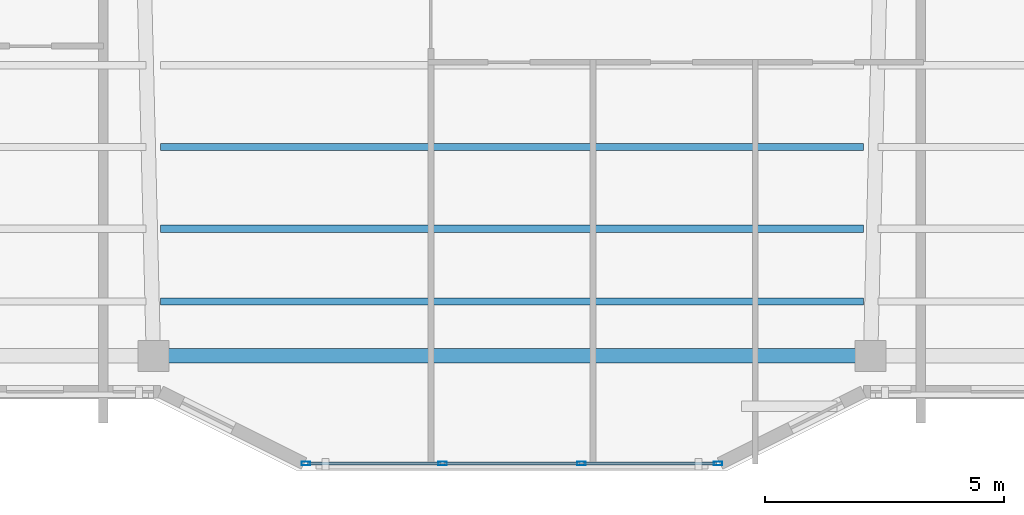
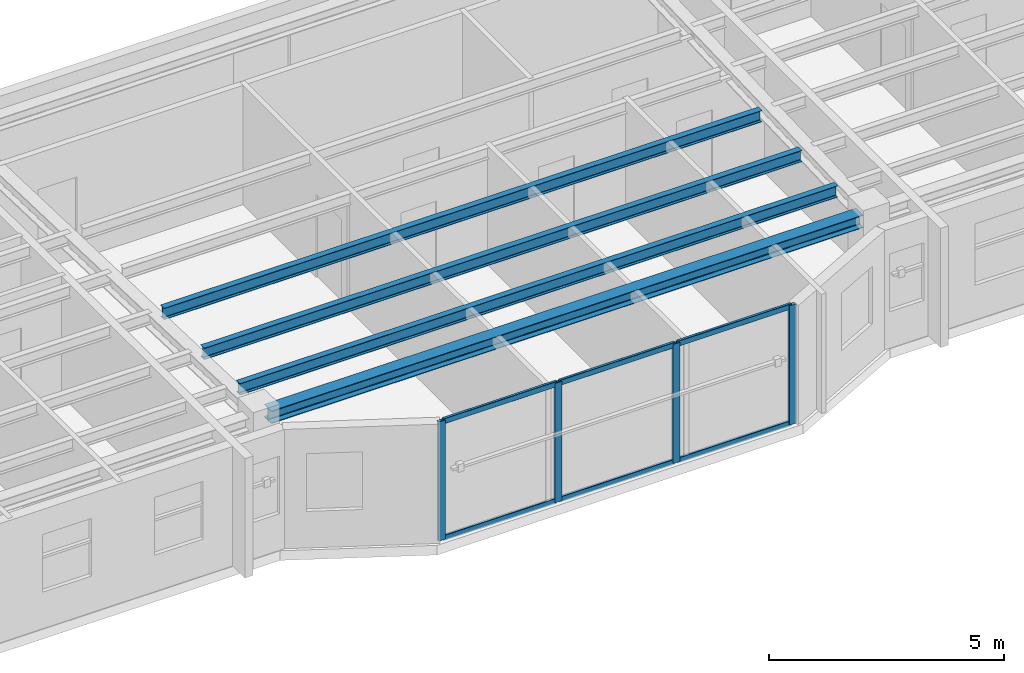
# One storey, part 2 of 15: 10 members, 4 beams, 1 element without a shape of its own.
"""IFC4 building model written with IfcOpenShell, lengths in metres."""

from ifc_helpers import new_model, si_unit, direction, frame, origin, origin_2d, place, context, subcontext, project, spatial, hollow_rectangle, i_section, extrude, material, layer, layer_set, material_profile, profile_set, type_object, element, aggregate, save


model = new_model("IFC4")

# Units and contexts
model_context = context("Model", 3, precision=1e-05, world=origin(), true_north=direction((0.0, 1.0)))
body_context = subcontext(model_context, "Body", "Model", "MODEL_VIEW")
ifc_project = project(units=[si_unit("LENGTHUNIT", "METRE"), si_unit("AREAUNIT", "SQUARE_METRE"), si_unit("VOLUMEUNIT", "CUBIC_METRE"), si_unit("PLANEANGLEUNIT", "RADIAN"), si_unit("MASSUNIT", "GRAM", prefix="KILO")], contexts=[model_context])

# Site, building, storey
site_placement = place(None, origin())
site = spatial("IfcSite", under=ifc_project, at=site_placement, CompositionType="ELEMENT")
building_placement = place(site_placement, origin())
building = spatial("IfcBuilding", under=site, at=building_placement, Name="Tarnavaz Court Tower", CompositionType="ELEMENT")
storey_placement = place(building_placement, frame((0.0, 0.0, 241.5)))
storey = spatial("IfcBuildingStorey", under=building, at=storey_placement, Name="L65", CompositionType="ELEMENT", Elevation=241.5)

# Beams
ifc_material_1 = material(Name="Steel S355", Category="steel")
ifc_material_profile_1 = material_profile(ifc_material_1, i_section(OverallWidth=0.14990234375, OverallDepth=0.300048828125, WebThickness=0.007080078125, FlangeThickness=0.0107421875, FilletRadius=0.014892578125, at=origin_2d()), Name="IPE 300")
ifc_profile_set_1 = profile_set([ifc_material_profile_1], Name="Steel S355")
beam_type_1 = type_object("IfcBeamType", Name="BM-J-IPE300", PredefinedType="JOIST", material=ifc_profile_set_1)
for number, where, z_axis, x_axis, name in (
    (1, (-7.35009765625, -15.72998046875, 2.949951171875), (1.0, 0.0, 0.0), (0.0, 1.0, 0.0), "L65 Beam JS3-2"),
    (2, (-7.35009765625, -17.43994140625, 2.949951171875), (1.0, 0.0, 0.0), (0.0, 1.0, 0.0), "L65 Beam JS4-2"),
    (3, (-7.35009765625, -18.9599609375, 2.949951171875), (1.0, 0.0, 0.0), (0.0, 1.0, 0.0), "L65 Beam JS5-2"),
):
    element("IfcBeam", number, at=place(storey_placement, frame(where, z_axis=z_axis, x_axis=x_axis)), inside=storey, type_object=beam_type_1, Name=name, PredefinedType="JOIST", context=body_context, shape_type="SweptSolid", body=[
        extrude(i_section(OverallWidth=0.14990234375, OverallDepth=0.300048828125, WebThickness=0.007080078125, FlangeThickness=0.0107421875, FilletRadius=0.014892578125, at=origin_2d()), origin(), (0.0, 0.0, 1.0), 14.7001953125),
    ])
ifc_material_profile_2 = material_profile(ifc_material_1, i_section(OverallWidth=0.300048828125, OverallDepth=0.330078125, WebThickness=0.009521484375, FlangeThickness=0.0166015625, FilletRadius=0.027099609375, at=origin_2d()), Name="HEA 340")
ifc_profile_set_2 = profile_set([ifc_material_profile_2], Name="Steel S355")
beam_type_2 = type_object("IfcBeamType", Name="BM-SP-HEA340", PredefinedType="BEAM", material=ifc_profile_set_2)
beam_placement = place(storey_placement, frame((-7.280029296875, -20.10009765625, 2.93505859375), z_axis=(1.0, 0.0, 0.0), x_axis=(0.0, 1.0, 0.0)))
element("IfcBeam", 4, at=beam_placement, inside=storey, type_object=beam_type_2, Name="L65 Beam PR-PS-2-PS-3", PredefinedType="BEAM", context=body_context, shape_type="SweptSolid", body=[
    extrude(i_section(OverallWidth=0.300048828125, OverallDepth=0.330078125, WebThickness=0.009521484375, FlangeThickness=0.0166015625, FilletRadius=0.027099609375, at=origin_2d()), origin(), (0.0, 0.0, 1.0), 14.56005859375),
])

# Curtain wall, members
ifc_material_2 = material(Name="Anodised Aluminium 6063-T6 and Solar Low-E Glazing", Category="aluminium")
ifc_layer = layer(ifc_material_2, 0.159912109375)
ifc_layer_set = layer_set([ifc_layer], Name="Anodised Aluminium 6063-T6 and Solar Low-E Glazing")
curtain_wall_type = type_object("IfcCurtainWallType", Name="CW-SYS-03", PredefinedType="NOTDEFINED", material=ifc_layer_set)
curtain_wall_placement = place(storey_placement, origin())
curtain_wall = element("IfcCurtainWall", 5, at=curtain_wall_placement, inside=storey, type_object=curtain_wall_type, Name="L65 Iwan Prow Curtain Wall 17", PredefinedType="NOTDEFINED")
ifc_material_3 = material(Name="Anodised Aluminium 6063-T6", Category="aluminium")
ifc_material_profile_3 = material_profile(ifc_material_3, hollow_rectangle(XDim=0.074951171875, YDim=0.179931640625, WallThickness=0.0048828125, InnerFilletRadius=0.0048828125, OuterFilletRadius=0.010009765625, at=origin_2d()), Name="ALU RHS 180X75X5")
ifc_profile_set_3 = profile_set([ifc_material_profile_3], Name="Anodised Aluminium 6063-T6")
member_type_1 = type_object("IfcMemberType", Name="CW-MUL-180", PredefinedType="MULLION", material=ifc_profile_set_3)
member_1_placement = place(storey_placement, frame((4.3125, -22.35009765625, 0.0), z_axis=(0.0, 0.0, 1.0), x_axis=(0.0, -1.0, 0.0)))
member_1 = element("IfcMember", 6, at=member_1_placement, type_object=member_type_1, Name="CW mullion 1", PredefinedType="MULLION", context=body_context, shape_type="SweptSolid", body=[
    extrude(hollow_rectangle(XDim=0.074951171875, YDim=0.179931640625, WallThickness=0.0048828125, InnerFilletRadius=0.0048828125, OuterFilletRadius=0.010009765625, at=origin_2d()), origin(), (0.0, 0.0, 1.0), 3.10009765625),
])
member_2_placement = place(storey_placement, frame((1.449951171875, -22.35009765625, 0.0), z_axis=(0.0, 0.0, 1.0), x_axis=(0.0, -1.0, 0.0)))
member_2 = element("IfcMember", 7, at=member_2_placement, type_object=member_type_1, Name="CW mullion 2", PredefinedType="MULLION", context=body_context, shape_type="SweptSolid", body=[
    extrude(hollow_rectangle(XDim=0.074951171875, YDim=0.179931640625, WallThickness=0.0048828125, InnerFilletRadius=0.0048828125, OuterFilletRadius=0.010009765625, at=origin_2d()), origin(), (0.0, 0.0, 1.0), 3.10009765625),
])
member_3_placement = place(storey_placement, frame((-1.449951171875, -22.35009765625, 0.0), z_axis=(0.0, 0.0, 1.0), x_axis=(0.0, -1.0, 0.0)))
member_3 = element("IfcMember", 8, at=member_3_placement, type_object=member_type_1, Name="CW mullion 3", PredefinedType="MULLION", context=body_context, shape_type="SweptSolid", body=[
    extrude(hollow_rectangle(XDim=0.074951171875, YDim=0.179931640625, WallThickness=0.0048828125, InnerFilletRadius=0.0048828125, OuterFilletRadius=0.010009765625, at=origin_2d()), origin(), (0.0, 0.0, 1.0), 3.10009765625),
])
member_4_placement = place(storey_placement, frame((-4.3125, -22.35009765625, 0.0), z_axis=(0.0, 0.0, 1.0), x_axis=(0.0, -1.0, 0.0)))
member_4 = element("IfcMember", 9, at=member_4_placement, type_object=member_type_1, Name="CW mullion 4", PredefinedType="MULLION", context=body_context, shape_type="SweptSolid", body=[
    extrude(hollow_rectangle(XDim=0.074951171875, YDim=0.179931640625, WallThickness=0.0048828125, InnerFilletRadius=0.0048828125, OuterFilletRadius=0.010009765625, at=origin_2d()), origin(), (0.0, 0.0, 1.0), 3.10009765625),
])
ifc_material_profile_4 = material_profile(ifc_material_3, hollow_rectangle(XDim=0.06494140625, YDim=0.139892578125, WallThickness=0.00390625, InnerFilletRadius=0.00390625, OuterFilletRadius=0.008056640625, at=origin_2d()), Name="ALU RHS 140X65X4")
ifc_profile_set_4 = profile_set([ifc_material_profile_4], Name="Anodised Aluminium 6063-T6")
member_type_2 = type_object("IfcMemberType", Name="CW-TRN-140", PredefinedType="USERDEFINED", material=ifc_profile_set_4)
member_5_placement = place(storey_placement, frame((4.27490234375, -22.35009765625, 0.032470703125), z_axis=(-1.0, 0.0, 0.0), x_axis=(0.0, -1.0, 0.0)))
member_5 = element("IfcMember", 10, at=member_5_placement, type_object=member_type_2, Name="CW transom 1.1", ObjectType="TRANSOM", PredefinedType="USERDEFINED", context=body_context, shape_type="SweptSolid", body=[
    extrude(hollow_rectangle(XDim=0.06494140625, YDim=0.139892578125, WallThickness=0.00390625, InnerFilletRadius=0.00390625, OuterFilletRadius=0.008056640625, at=origin_2d()), origin(), (0.0, 0.0, 1.0), 2.787353515625),
])
member_6_placement = place(storey_placement, frame((4.27490234375, -22.35009765625, 3.0673828125), z_axis=(-1.0, 0.0, 0.0), x_axis=(0.0, -1.0, 0.0)))
member_6 = element("IfcMember", 11, at=member_6_placement, type_object=member_type_2, Name="CW transom 1.2", ObjectType="TRANSOM", PredefinedType="USERDEFINED", context=body_context, shape_type="SweptSolid", body=[
    extrude(hollow_rectangle(XDim=0.06494140625, YDim=0.139892578125, WallThickness=0.00390625, InnerFilletRadius=0.00390625, OuterFilletRadius=0.008056640625, at=origin_2d()), origin(), (0.0, 0.0, 1.0), 2.787353515625),
])
member_7_placement = place(storey_placement, frame((1.41259765625, -22.35009765625, 0.032470703125), z_axis=(-1.0, 0.0, 0.0), x_axis=(0.0, -1.0, 0.0)))
member_7 = element("IfcMember", 12, at=member_7_placement, type_object=member_type_2, Name="CW transom 2.1", ObjectType="TRANSOM", PredefinedType="USERDEFINED", context=body_context, shape_type="SweptSolid", body=[
    extrude(hollow_rectangle(XDim=0.06494140625, YDim=0.139892578125, WallThickness=0.00390625, InnerFilletRadius=0.00390625, OuterFilletRadius=0.008056640625, at=origin_2d()), origin(), (0.0, 0.0, 1.0), 2.8251953125),
])
member_8_placement = place(storey_placement, frame((1.41259765625, -22.35009765625, 3.0673828125), z_axis=(-1.0, 0.0, 0.0), x_axis=(0.0, -1.0, 0.0)))
member_8 = element("IfcMember", 13, at=member_8_placement, type_object=member_type_2, Name="CW transom 2.2", ObjectType="TRANSOM", PredefinedType="USERDEFINED", context=body_context, shape_type="SweptSolid", body=[
    extrude(hollow_rectangle(XDim=0.06494140625, YDim=0.139892578125, WallThickness=0.00390625, InnerFilletRadius=0.00390625, OuterFilletRadius=0.008056640625, at=origin_2d()), origin(), (0.0, 0.0, 1.0), 2.8251953125),
])
member_9_placement = place(storey_placement, frame((-1.487548828125, -22.35009765625, 0.032470703125), z_axis=(-1.0, 0.0, 0.0), x_axis=(0.0, -1.0, 0.0)))
member_9 = element("IfcMember", 14, at=member_9_placement, type_object=member_type_2, Name="CW transom 3.1", ObjectType="TRANSOM", PredefinedType="USERDEFINED", context=body_context, shape_type="SweptSolid", body=[
    extrude(hollow_rectangle(XDim=0.06494140625, YDim=0.139892578125, WallThickness=0.00390625, InnerFilletRadius=0.00390625, OuterFilletRadius=0.008056640625, at=origin_2d()), origin(), (0.0, 0.0, 1.0), 2.787353515625),
])
member_10_placement = place(storey_placement, frame((-1.487548828125, -22.35009765625, 3.0673828125), z_axis=(-1.0, 0.0, 0.0), x_axis=(0.0, -1.0, 0.0)))
member_10 = element("IfcMember", 15, at=member_10_placement, type_object=member_type_2, Name="CW transom 3.2", ObjectType="TRANSOM", PredefinedType="USERDEFINED", context=body_context, shape_type="SweptSolid", body=[
    extrude(hollow_rectangle(XDim=0.06494140625, YDim=0.139892578125, WallThickness=0.00390625, InnerFilletRadius=0.00390625, OuterFilletRadius=0.008056640625, at=origin_2d()), origin(), (0.0, 0.0, 1.0), 2.787353515625),
])
aggregate(curtain_wall, [member_1, member_2, member_3, member_4, member_5, member_6, member_7, member_8, member_9, member_10])

save(model, "model.ifc")
